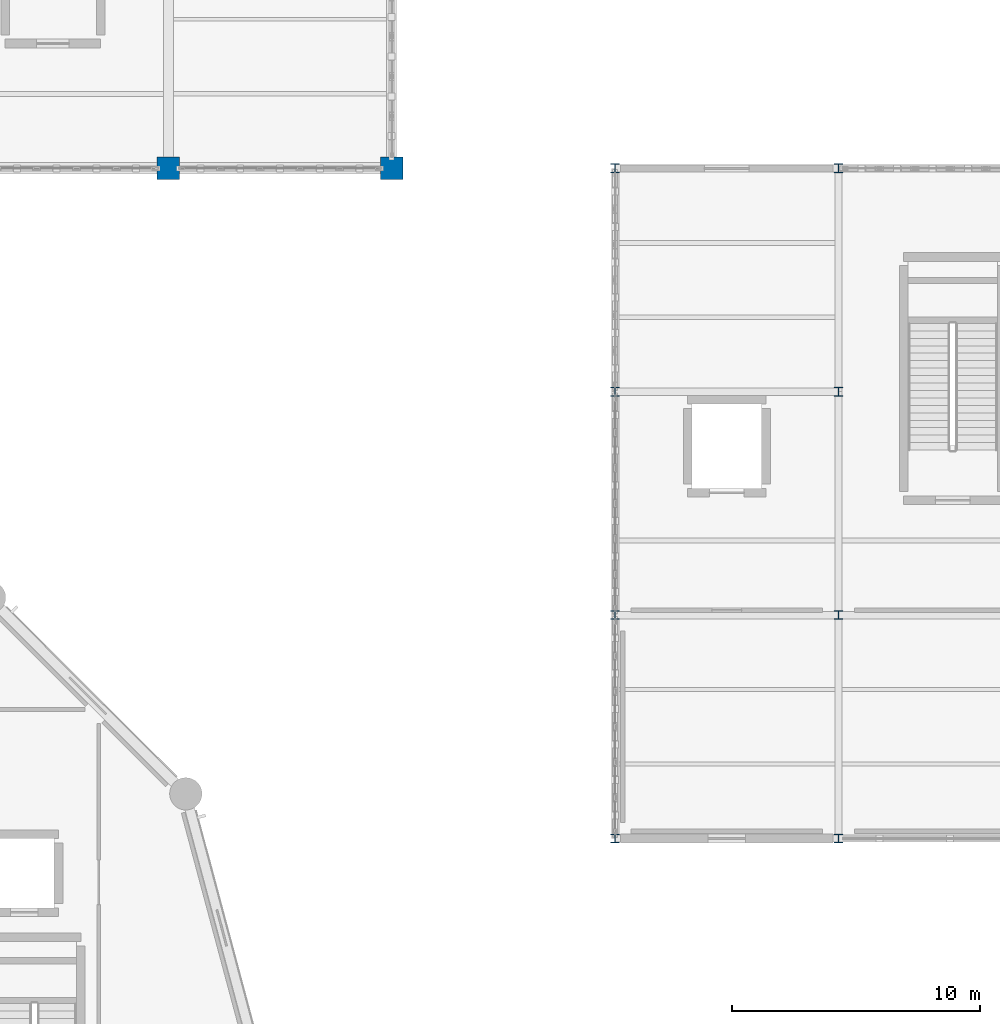
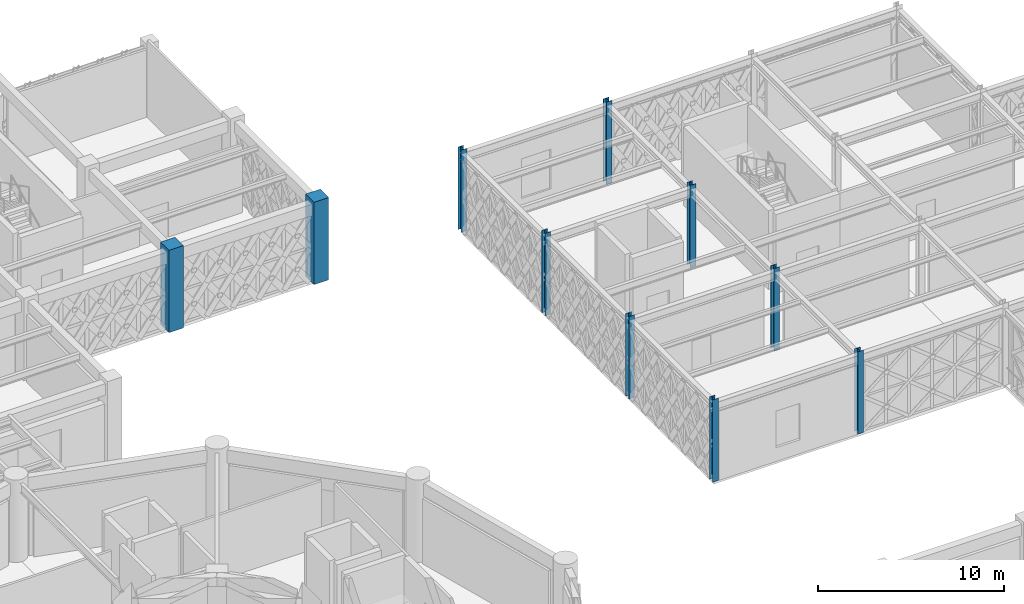
# One storey, part 4 of 166: 10 columns.
"""IFC4 building model written with IfcOpenShell, lengths in metres."""

from ifc_helpers import new_model, si_unit, direction, frame, origin, origin_2d, place, context, subcontext, project, spatial, rectangle, i_section, extrude, material, material_profile, profile_set, type_object, element, save


model = new_model("IFC4")

# Units and contexts
model_context = context("Model", 3, precision=1e-05, world=origin(), true_north=direction((0.0, 1.0)))
body_context = subcontext(model_context, "Body", "Model", "MODEL_VIEW")
ifc_project = project(units=[si_unit("LENGTHUNIT", "METRE"), si_unit("AREAUNIT", "SQUARE_METRE"), si_unit("VOLUMEUNIT", "CUBIC_METRE"), si_unit("PLANEANGLEUNIT", "RADIAN"), si_unit("MASSUNIT", "GRAM", prefix="KILO")], contexts=[model_context])

# Site, building, storey
site_placement = place(None, origin())
site = spatial("IfcSite", under=ifc_project, at=site_placement, CompositionType="ELEMENT")
building_placement = place(site_placement, origin())
building = spatial("IfcBuilding", under=site, at=building_placement, Name="Haizhuo Lancet Aquarium", CompositionType="ELEMENT")
storey_placement = place(building_placement, frame((0.0, 0.0, 5.39990234375)))
storey = spatial("IfcBuildingStorey", under=building, at=storey_placement, Name="L01", CompositionType="ELEMENT", Elevation=5.39990234375)

# Columns
ifc_material_1 = material(Name="Concrete C40/50", Category="concrete")
ifc_material_profile_1 = material_profile(ifc_material_1, rectangle(XDim=0.89990234375, YDim=0.89990234375, at=origin_2d()), Name="RC-COL 900x900")
ifc_profile_set_1 = profile_set([ifc_material_profile_1], Name="Concrete C40/50")
column_type_1 = type_object("IfcColumnType", Name="COL-RC-900", PredefinedType="COLUMN", material=ifc_profile_set_1)
for number, where, z_axis, x_axis, name in (
    (1, (18.0, 36.0, 0.0), (0.0, 0.0, 1.0), (1.0, 0.0, 0.0), "L01 column V5-COL-103"),
    (2, (27.0, 36.0, 0.0), (0.0, 0.0, 1.0), (1.0, 0.0, 0.0), "L01 column V5-COL-106"),
):
    element("IfcColumn", number, at=place(storey_placement, frame(where, z_axis=z_axis, x_axis=x_axis)), inside=storey, type_object=column_type_1, Name=name, PredefinedType="COLUMN", context=body_context, shape_type="SweptSolid", body=[
        extrude(rectangle(XDim=0.89990234375, YDim=0.89990234375, at=origin_2d()), origin(), (0.0, 0.0, 1.0), 5.400146484375),
    ])
ifc_material_2 = material(Name="Steel S355", Category="steel")
ifc_material_profile_2 = material_profile(ifc_material_2, i_section(OverallWidth=0.35009765625, OverallDepth=0.35009765625, WebThickness=0.011962890625, FlangeThickness=0.01904296875, FilletRadius=0.02001953125, at=origin_2d()), Name="HW 350x350x12x19")
ifc_profile_set_2 = profile_set([ifc_material_profile_2], Name="Steel S355")
column_type_2 = type_object("IfcColumnType", Name="COL-ST-HW350", PredefinedType="COLUMN", material=ifc_profile_set_2)
for number, where, z_axis, x_axis, name in (
    (3, (36.0, 9.0, 0.0), (0.0, 0.0, 1.0), (1.0, 0.0, 0.0), "L01 column V7-COL-128"),
    (4, (36.0, 18.0, 0.0), (0.0, 0.0, 1.0), (1.0, 0.0, 0.0), "L01 column V7-COL-129"),
    (5, (36.0, 27.0, 0.0), (0.0, 0.0, 1.0), (1.0, 0.0, 0.0), "L01 column V7-COL-130"),
    (6, (36.0, 36.0, 0.0), (0.0, 0.0, 1.0), (1.0, 0.0, 0.0), "L01 column V7-COL-131"),
    (7, (45.0, 9.0, 0.0), (0.0, 0.0, 1.0), (1.0, 0.0, 0.0), "L01 column V7-COL-132"),
    (8, (45.0, 18.0, 0.0), (0.0, 0.0, 1.0), (1.0, 0.0, 0.0), "L01 column V7-COL-133"),
    (9, (45.0, 27.0, 0.0), (0.0, 0.0, 1.0), (1.0, 0.0, 0.0), "L01 column V7-COL-134"),
    (10, (45.0, 36.0, 0.0), (0.0, 0.0, 1.0), (1.0, 0.0, 0.0), "L01 column V7-COL-135"),
):
    element("IfcColumn", number, at=place(storey_placement, frame(where, z_axis=z_axis, x_axis=x_axis)), inside=storey, type_object=column_type_2, Name=name, PredefinedType="COLUMN", context=body_context, shape_type="SweptSolid", body=[
        extrude(i_section(OverallWidth=0.35009765625, OverallDepth=0.35009765625, WebThickness=0.011962890625, FlangeThickness=0.01904296875, FilletRadius=0.02001953125, at=origin_2d()), origin(), (0.0, 0.0, 1.0), 5.400146484375),
    ])

save(model, "model.ifc")
